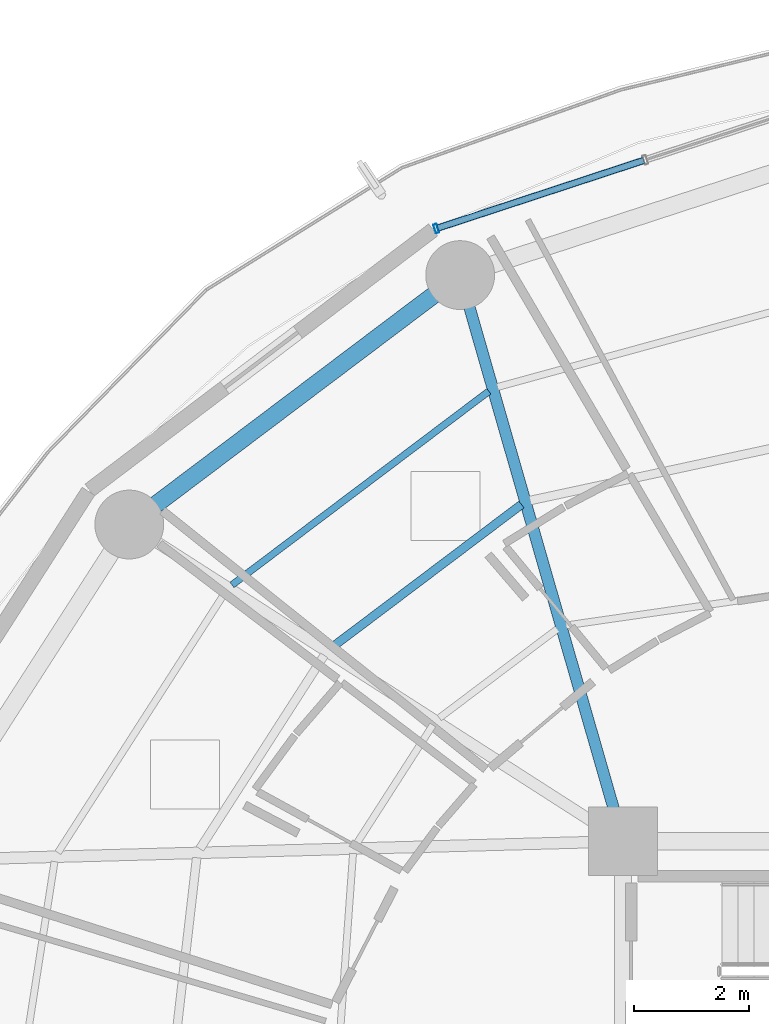
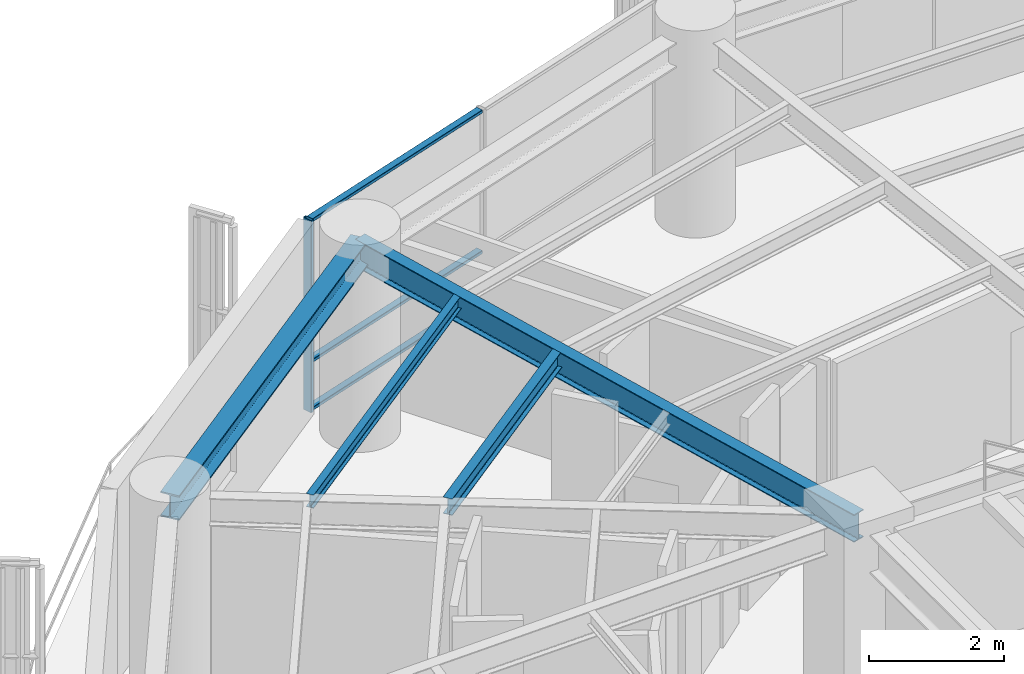
# One storey, part 16 of 27: 4 beams, 4 members, 1 element without a shape of its own.
"""IFC4 building model written with IfcOpenShell, lengths in metres."""

from ifc_helpers import new_model, si_unit, direction, frame, origin, origin_2d, place, context, subcontext, project, spatial, hollow_rectangle, i_section, extrude, material, layer, layer_set, material_profile, profile_set, type_object, element, aggregate, save


model = new_model("IFC4")

# Units and contexts
model_context = context("Model", 3, precision=1e-05, world=origin(), true_north=direction((0.0, 1.0)))
body_context = subcontext(model_context, "Body", "Model", "MODEL_VIEW")
ifc_project = project(units=[si_unit("LENGTHUNIT", "METRE"), si_unit("AREAUNIT", "SQUARE_METRE"), si_unit("VOLUMEUNIT", "CUBIC_METRE"), si_unit("PLANEANGLEUNIT", "RADIAN"), si_unit("MASSUNIT", "GRAM", prefix="KILO")], contexts=[model_context])

# Site, building, storey
site_placement = place(None, origin())
site = spatial("IfcSite", under=ifc_project, at=site_placement, CompositionType="ELEMENT")
building_placement = place(site_placement, origin())
building = spatial("IfcBuilding", under=site, at=building_placement, Name="Kelanora Arch Commons", CompositionType="ELEMENT")
storey_placement = place(building_placement, frame((0.0, 0.0, 154.35009765625)))
storey = spatial("IfcBuildingStorey", under=building, at=storey_placement, Name="L39", CompositionType="ELEMENT", Elevation=154.35009765625)

# Beams
ifc_material_1 = material(Name="Steel S355", Category="steel")
ifc_material_profile_1 = material_profile(ifc_material_1, i_section(OverallWidth=0.14990234375, OverallDepth=0.300048828125, WebThickness=0.007080078125, FlangeThickness=0.0107421875, FilletRadius=0.014892578125, at=origin_2d()), Name="IPE300")
ifc_profile_set_1 = profile_set([ifc_material_profile_1], Name="Steel S355")
beam_type_1 = type_object("IfcBeamType", Name="BM-JST-01", PredefinedType="JOIST", material=ifc_profile_set_1)
beam_1_placement = place(storey_placement, frame((64.22802734375, 70.870849609375, 3.33984375), z_axis=(-0.798463547891, -0.602043156833, 0.0), x_axis=(0.602043156833, -0.798463547891, 0.0)))
element("IfcBeam", 1, at=beam_1_placement, inside=storey, type_object=beam_type_1, Name="Secondary Chord Joist BJB-12 L39", PredefinedType="JOIST", context=body_context, shape_type="SweptSolid", body=[
    extrude(i_section(OverallWidth=0.14990234375, OverallDepth=0.300048828125, WebThickness=0.007080078125, FlangeThickness=0.0107421875, FilletRadius=0.014892578125, at=origin_2d()), origin(), (0.0, 0.0, 1.0), 4.163818359375),
])
ifc_material_profile_2 = material_profile(ifc_material_1, i_section(OverallWidth=0.1201171875, OverallDepth=0.239990234375, WebThickness=0.006103515625, FlangeThickness=0.009765625, FilletRadius=0.014892578125, at=origin_2d()), Name="IPE240")
ifc_profile_set_2 = profile_set([ifc_material_profile_2], Name="Steel S355")
beam_type_2 = type_object("IfcBeamType", Name="BM-JST-02", PredefinedType="JOIST", material=ifc_profile_set_2)
beam_2_placement = place(storey_placement, frame((63.66015625, 72.844970703125, 3.369873046875), z_axis=(-0.798493128577, -0.602003923256, 0.0), x_axis=(0.602003923256, -0.798493128577, 0.0)))
element("IfcBeam", 2, at=beam_2_placement, inside=storey, type_object=beam_type_2, Name="Secondary Chord Joist BJC-12 L39", PredefinedType="JOIST", context=body_context, shape_type="SweptSolid", body=[
    extrude(i_section(OverallWidth=0.1201171875, OverallDepth=0.239990234375, WebThickness=0.006103515625, FlangeThickness=0.009765625, FilletRadius=0.014892578125, at=origin_2d()), origin(), (0.0, 0.0, 1.0), 5.608642578125),
])
ifc_material_profile_3 = material_profile(ifc_material_1, i_section(OverallWidth=0.199951171875, OverallDepth=0.5, WebThickness=0.01025390625, FlangeThickness=0.01611328125, FilletRadius=0.02099609375, at=origin_2d()), Name="IPE500")
ifc_profile_set_3 = profile_set([ifc_material_profile_3], Name="Steel S355")
beam_type_3 = type_object("IfcBeamType", Name="BM-RAD-Z3", PredefinedType="BEAM", material=ifc_profile_set_3)
beam_3_placement = place(storey_placement, frame((66.0, 65.0, 3.239990234375), z_axis=(-0.276525880065, 0.961006471182, 0.0), x_axis=(-0.961006471182, -0.276525880065, 0.0)))
element("IfcBeam", 3, at=beam_3_placement, inside=storey, type_object=beam_type_3, Name="Radial Floor Girder BR-12 L39", PredefinedType="BEAM", context=body_context, shape_type="SweptSolid", body=[
    extrude(i_section(OverallWidth=0.199951171875, OverallDepth=0.5, WebThickness=0.01025390625, FlangeThickness=0.01611328125, FilletRadius=0.02099609375, at=origin_2d()), origin(), (0.0, 0.0, 1.0), 10.2705078125),
])
ifc_material_profile_4 = material_profile(ifc_material_1, i_section(OverallWidth=0.300048828125, OverallDepth=0.449951171875, WebThickness=0.013916015625, FlangeThickness=0.02587890625, FilletRadius=0.027099609375, at=origin_2d()), Name="HEB450")
ifc_profile_set_4 = profile_set([ifc_material_profile_4], Name="Steel S355")
beam_type_4 = type_object("IfcBeamType", Name="BM-SPN-Z3", PredefinedType="SPANDREL", material=ifc_profile_set_4)
beam_4_placement = place(storey_placement, frame((63.159912109375, 74.8701171875, 3.264892578125), z_axis=(-0.798484645564, -0.60201517489, 0.0), x_axis=(0.60201517489, -0.798484645564, 0.0)))
element("IfcBeam", 4, at=beam_4_placement, inside=storey, type_object=beam_type_4, Name="Perimeter Spandrel Beam BS-12 L39", PredefinedType="SPANDREL", context=body_context, shape_type="SweptSolid", body=[
    extrude(i_section(OverallWidth=0.300048828125, OverallDepth=0.449951171875, WebThickness=0.013916015625, FlangeThickness=0.02587890625, FilletRadius=0.027099609375, at=origin_2d()), origin(), (0.0, 0.0, 1.0), 7.223388671875),
])

# Curtain wall, members
ifc_material_2 = material(Name="Terracotta ceramic-fritted low-E glass and aluminium", Category="masonry")
ifc_layer = layer(ifc_material_2, 0.175048828125)
ifc_layer_set = layer_set([ifc_layer], Name="Terracotta ceramic-fritted low-E glass and aluminium")
curtain_wall_type = type_object("IfcCurtainWallType", Name="CW-SYS-02", PredefinedType="NOTDEFINED", material=ifc_layer_set)
curtain_wall_placement = place(storey_placement, origin())
curtain_wall = element("IfcCurtainWall", 5, at=curtain_wall_placement, inside=storey, type_object=curtain_wall_type, Name="Unitised Curtain Wall L39-B05", PredefinedType="NOTDEFINED")
ifc_material_3 = material(Name="Powder-coated aluminium terracotta", Category="masonry")
ifc_material_profile_5 = material_profile(ifc_material_3, hollow_rectangle(XDim=0.159912109375, YDim=0.06005859375, WallThickness=0.0048828125, InnerFilletRadius=0.0048828125, OuterFilletRadius=0.010009765625, at=origin_2d()), Name="CWM160x60")
ifc_profile_set_5 = profile_set([ifc_material_profile_5], Name="Powder-coated aluminium terracotta")
member_type_1 = type_object("IfcMemberType", Name="CWM-STD", PredefinedType="MULLION", material=ifc_profile_set_5)
member_1_placement = place(storey_placement, frame((62.742919921875, 75.680908203125, 0.0), z_axis=(0.0, 0.0, 1.0), x_axis=(0.312128279571, -0.95003996605, 0.0)))
member_1 = element("IfcMember", 6, at=member_1_placement, type_object=member_type_1, Name="CW-02 mullion 3", PredefinedType="MULLION", context=body_context, shape_type="SweptSolid", body=[
    extrude(hollow_rectangle(XDim=0.159912109375, YDim=0.06005859375, WallThickness=0.0048828125, InnerFilletRadius=0.0048828125, OuterFilletRadius=0.010009765625, at=origin_2d()), origin(), (0.0, 0.0, 1.0), 3.474853515625),
])
ifc_material_profile_6 = material_profile(ifc_material_3, hollow_rectangle(XDim=0.1201171875, YDim=0.06005859375, WallThickness=0.0048828125, InnerFilletRadius=0.0048828125, OuterFilletRadius=0.010009765625, at=origin_2d()), Name="CWT120x60")
ifc_profile_set_6 = profile_set([ifc_material_profile_6], Name="Powder-coated aluminium terracotta")
member_type_2 = type_object("IfcMemberType", Name="CWT-STD", PredefinedType="USERDEFINED", material=ifc_profile_set_6)
member_2_placement = place(storey_placement, frame((66.359375, 76.869140625, 0.02978515625), z_axis=(-0.950051191155, -0.312094111104, 0.0), x_axis=(0.312094111104, -0.950051191155, 0.0)))
member_2 = element("IfcMember", 7, at=member_2_placement, type_object=member_type_2, Name="CW-02 transom 2.1", ObjectType="TRANSOM", PredefinedType="USERDEFINED", context=body_context, shape_type="SweptSolid", body=[
    extrude(hollow_rectangle(XDim=0.1201171875, YDim=0.06005859375, WallThickness=0.0048828125, InnerFilletRadius=0.0048828125, OuterFilletRadius=0.010009765625, at=origin_2d()), origin(), (0.0, 0.0, 1.0), 3.77685546875),
])
member_3_placement = place(storey_placement, frame((66.359375, 76.869140625, 0.89990234375), z_axis=(-0.950051191155, -0.312094111104, 0.0), x_axis=(0.312094111104, -0.950051191155, 0.0)))
member_3 = element("IfcMember", 8, at=member_3_placement, type_object=member_type_2, Name="CW-02 transom 2.2", ObjectType="TRANSOM", PredefinedType="USERDEFINED", context=body_context, shape_type="SweptSolid", body=[
    extrude(hollow_rectangle(XDim=0.1201171875, YDim=0.06005859375, WallThickness=0.0048828125, InnerFilletRadius=0.0048828125, OuterFilletRadius=0.010009765625, at=origin_2d()), origin(), (0.0, 0.0, 1.0), 3.77685546875),
])
member_4_placement = place(storey_placement, frame((66.359375, 76.869140625, 3.44482421875), z_axis=(-0.950051191155, -0.312094111104, 0.0), x_axis=(0.312094111104, -0.950051191155, 0.0)))
member_4 = element("IfcMember", 9, at=member_4_placement, type_object=member_type_2, Name="CW-02 transom 2.3", ObjectType="TRANSOM", PredefinedType="USERDEFINED", context=body_context, shape_type="SweptSolid", body=[
    extrude(hollow_rectangle(XDim=0.1201171875, YDim=0.06005859375, WallThickness=0.0048828125, InnerFilletRadius=0.0048828125, OuterFilletRadius=0.010009765625, at=origin_2d()), origin(), (0.0, 0.0, 1.0), 3.77685546875),
])
aggregate(curtain_wall, [member_1, member_2, member_3, member_4])

save(model, "model.ifc")
